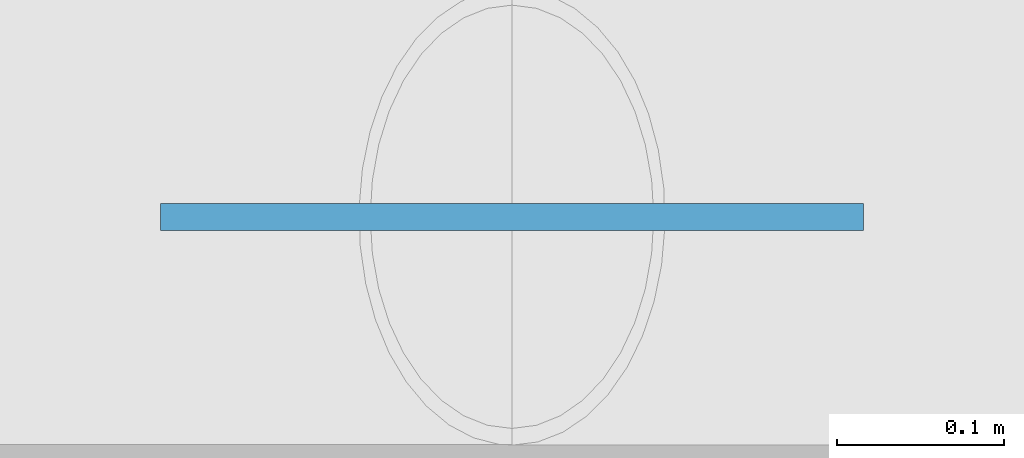
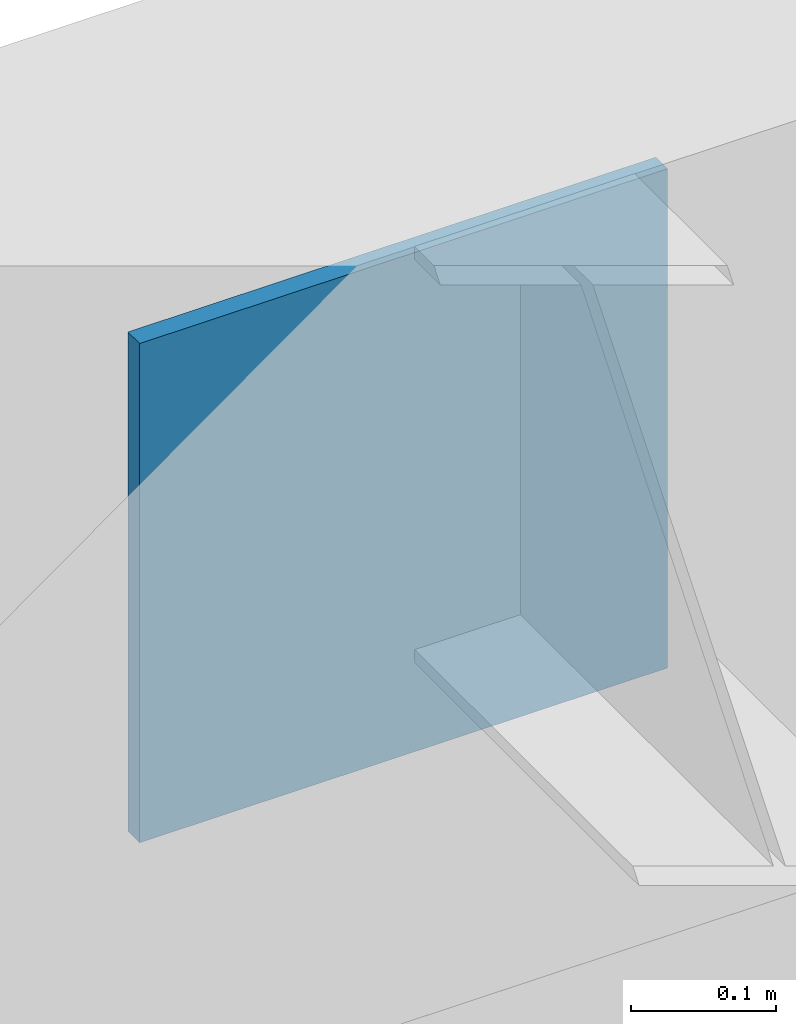
# One storey, part 17 of 40: 1 plate.
"""IFC4 building model written with IfcOpenShell, lengths in metres."""

from ifc_helpers import new_model, si_unit, direction, frame, origin, origin_2d, place, context, subcontext, project, spatial, rectangle, extrude, material, layer, layer_set, type_object, element, save


model = new_model("IFC4")

# Units and contexts
model_context = context("Model", 3, precision=1e-05, world=origin(), true_north=direction((0.0, 1.0)))
body_context = subcontext(model_context, "Body", "Model", "MODEL_VIEW")
ifc_project = project(units=[si_unit("LENGTHUNIT", "METRE"), si_unit("AREAUNIT", "SQUARE_METRE"), si_unit("VOLUMEUNIT", "CUBIC_METRE"), si_unit("PLANEANGLEUNIT", "RADIAN"), si_unit("MASSUNIT", "GRAM", prefix="KILO")], contexts=[model_context])

# Site, building, storey
site_placement = place(None, origin())
site = spatial("IfcSite", under=ifc_project, at=site_placement, CompositionType="ELEMENT")
building_placement = place(site_placement, origin())
building = spatial("IfcBuilding", under=site, at=building_placement, Name="Chengyuan Square Courthouse", CompositionType="ELEMENT")
storey_placement = place(building_placement, frame((0.0, 0.0, 21.60009765625)))
storey = spatial("IfcBuildingStorey", under=building, at=storey_placement, Name="L05", CompositionType="ELEMENT", Elevation=21.60009765625)

# Plate
ifc_material = material(Name="Steel Q355B", Category="steel")
ifc_layer = layer(ifc_material, 0.01611328125)
ifc_layer_set = layer_set([ifc_layer], Name="Steel Q355B")
plate_type = type_object("IfcPlateType", Name="GP-01", PredefinedType="SHEET", material=ifc_layer_set)
plate_placement = place(storey_placement, frame((63.0, 115.199951171875, 3.679931640625), z_axis=(0.0, 0.0, 1.0), x_axis=(1.0, 0.0, 0.0)))
element("IfcPlate", 1, at=plate_placement, inside=storey, type_object=plate_type, Name="Brace Gusset Plate GP-L05-07", PredefinedType="SHEET", context=body_context, shape_type="SweptSolid", body=[
    extrude(rectangle(XDim=0.419921875, YDim=0.01611328125, at=origin_2d()), origin(), (0.0, 0.0, 1.0), 0.419921875),
])

save(model, "model.ifc")
